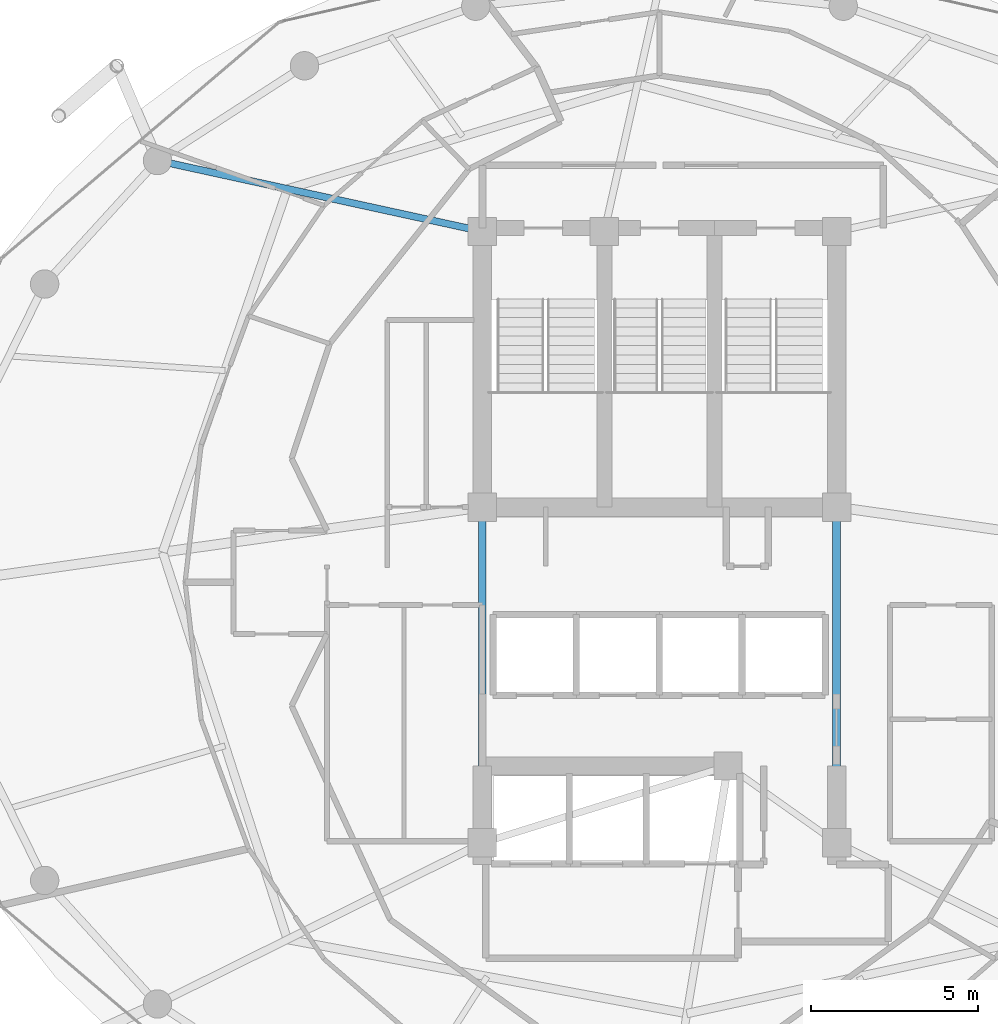
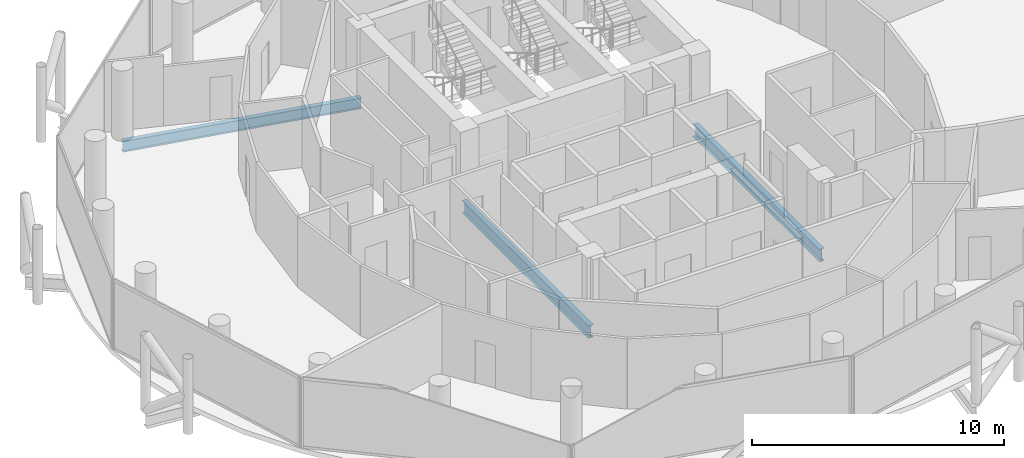
# One storey, part 10 of 27: 3 beams.
"""IFC4 building model written with IfcOpenShell, lengths in metres."""

from ifc_helpers import new_model, si_unit, direction, frame, origin, origin_2d, place, context, subcontext, project, spatial, i_section, extrude, material, material_profile, profile_set, type_object, element, save


model = new_model("IFC4")

# Units and contexts
model_context = context("Model", 3, precision=1e-05, world=origin(), true_north=direction((0.0, 1.0)))
body_context = subcontext(model_context, "Body", "Model", "MODEL_VIEW")
ifc_project = project(units=[si_unit("LENGTHUNIT", "METRE"), si_unit("AREAUNIT", "SQUARE_METRE"), si_unit("VOLUMEUNIT", "CUBIC_METRE"), si_unit("PLANEANGLEUNIT", "RADIAN"), si_unit("MASSUNIT", "GRAM", prefix="KILO")], contexts=[model_context])

# Site, building, storey
site_placement = place(None, origin())
site = spatial("IfcSite", under=ifc_project, at=site_placement, CompositionType="ELEMENT")
building_placement = place(site_placement, origin())
building = spatial("IfcBuilding", under=site, at=building_placement, Name="Nuhasar Tower", CompositionType="ELEMENT")
storey_placement = place(building_placement, frame((0.0, 0.0, 211.800048828125)))
storey = spatial("IfcBuildingStorey", under=building, at=storey_placement, Name="L51", CompositionType="ELEMENT", Elevation=211.800048828125)

# Beams
ifc_material = material(Name="Steel S355", Category="steel")
ifc_material_profile_1 = material_profile(ifc_material, i_section(OverallWidth=0.208984375, OverallDepth=0.528076171875, WebThickness=0.009521484375, FlangeThickness=0.01318359375, at=origin_2d()), Name="W21X55")
ifc_profile_set_1 = profile_set([ifc_material_profile_1], Name="Steel S355")
beam_type_1 = type_object("IfcBeamType", Name="BM-RAD-W21X55", PredefinedType="BEAM", material=ifc_profile_set_1)
beam_placement = place(storey_placement, frame((33.699951171875, 37.300048828125, -0.504150390625), z_axis=(-0.977014275474, 0.213173885644, 0.0), x_axis=(-0.213173885644, -0.977014275474, 0.0)))
element("IfcBeam", 1, at=beam_placement, inside=storey, type_object=beam_type_1, Name="L51 Radial Floor Girder 07", PredefinedType="BEAM", context=body_context, shape_type="SweptSolid", body=[
    extrude(i_section(OverallWidth=0.208984375, OverallDepth=0.528076171875, WebThickness=0.009521484375, FlangeThickness=0.01318359375, at=origin_2d()), origin(), (0.0, 0.0, 1.0), 9.95458984375),
])
ifc_material_profile_2 = material_profile(ifc_material, i_section(OverallWidth=0.22900390625, OverallDepth=0.612060546875, WebThickness=0.011962890625, FlangeThickness=0.01953125, at=origin_2d()), Name="W24X84")
ifc_profile_set_2 = profile_set([ifc_material_profile_2], Name="Steel S355")
beam_type_2 = type_object("IfcBeamType", Name="BM-RAD-W24X84", PredefinedType="BEAM", material=ifc_profile_set_2)
for number, where, z_axis, x_axis, name in (
    (2, (44.300048828125, 19.0, -0.546142578125), (0.0, 1.0, 0.0), (-1.0, 0.0, 0.0), "L51 Core Ring Girder 3"),
    (3, (33.699951171875, 29.050048828125, -0.546142578125), (0.0, -1.0, 0.0), (1.0, 0.0, 0.0), "L51 Core Ring Girder 8"),
):
    element("IfcBeam", number, at=place(storey_placement, frame(where, z_axis=z_axis, x_axis=x_axis)), inside=storey, type_object=beam_type_2, Name=name, PredefinedType="BEAM", context=body_context, shape_type="SweptSolid", body=[
        extrude(i_section(OverallWidth=0.22900390625, OverallDepth=0.612060546875, WebThickness=0.011962890625, FlangeThickness=0.01953125, at=origin_2d()), origin(), (0.0, 0.0, 1.0), 10.050048828125),
    ])

save(model, "model.ifc")
